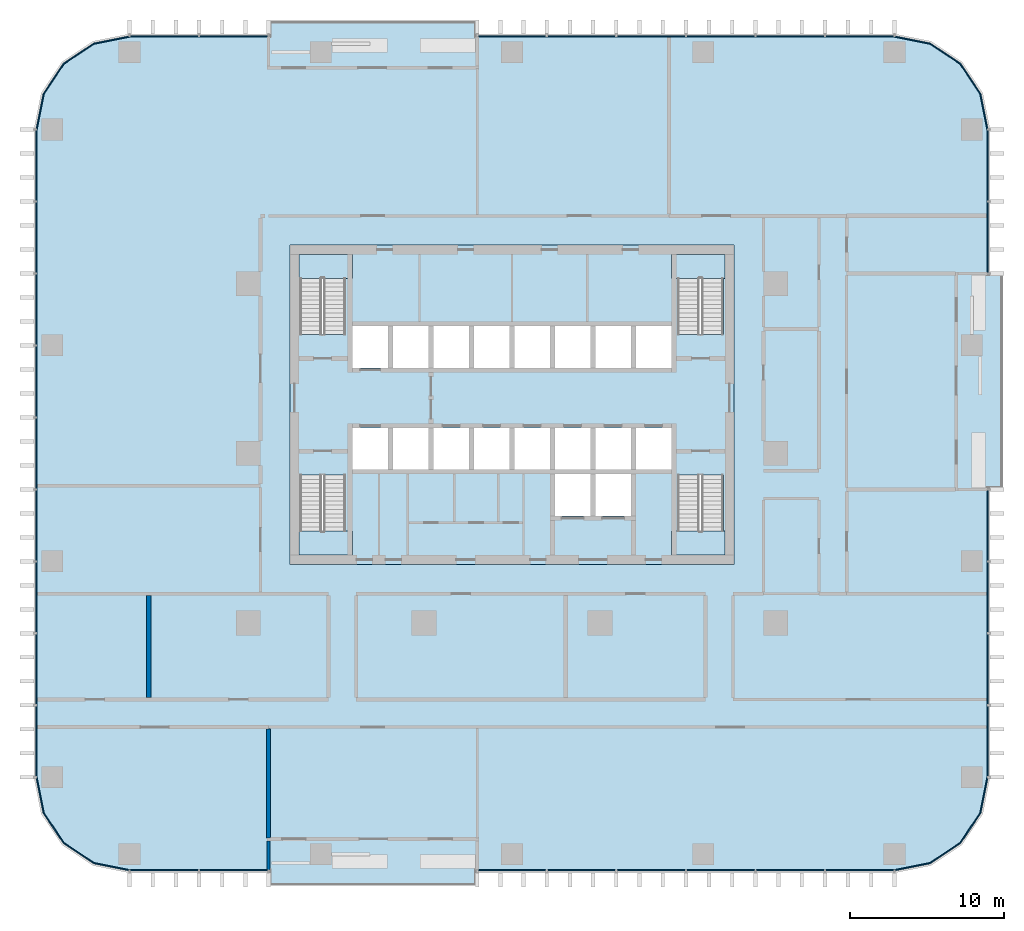
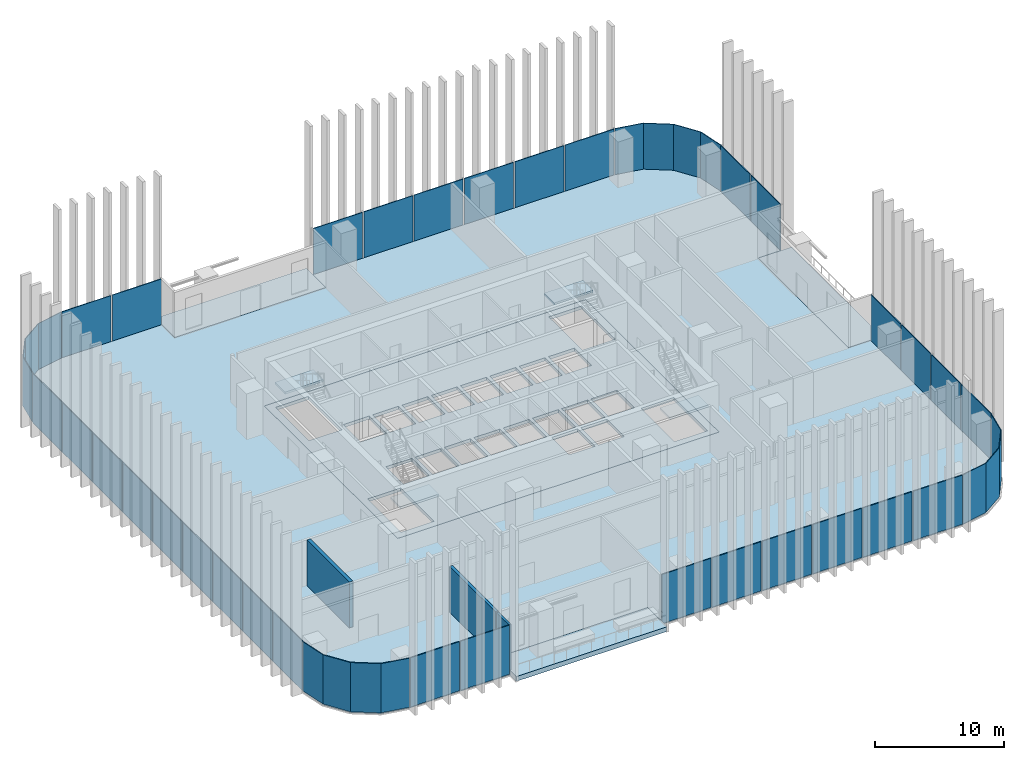
# One storey, part 6 of 16: 35 plates, 9 slabs, 3 walls, 15 elements without a shape of their own.
"""IFC4 building model written with IfcOpenShell, lengths in metres."""

from ifc_helpers import new_model, si_unit, direction, frame, frame_2d, origin, origin_2d, place, context, subcontext, project, spatial, polyline, rectangle, outline, extrude, material, layer, layer_set, type_object, element, aggregate, save


model = new_model("IFC4")

# Units and contexts
model_context = context("Model", 3, precision=1e-05, world=origin(), true_north=direction((0.0, 1.0)))
body_context = subcontext(model_context, "Body", "Model", "MODEL_VIEW")
ifc_project = project(units=[si_unit("LENGTHUNIT", "METRE"), si_unit("AREAUNIT", "SQUARE_METRE"), si_unit("VOLUMEUNIT", "CUBIC_METRE"), si_unit("PLANEANGLEUNIT", "RADIAN"), si_unit("MASSUNIT", "GRAM", prefix="KILO")], contexts=[model_context])

# Site, building, storey
site_placement = place(None, origin())
site = spatial("IfcSite", under=ifc_project, at=site_placement, CompositionType="ELEMENT")
building_placement = place(site_placement, origin())
building = spatial("IfcBuilding", under=site, at=building_placement, Name="Mopane Tessera Tower", CompositionType="ELEMENT")
storey_placement = place(building_placement, frame((0.0, 0.0, 59.800048828125)))
storey = spatial("IfcBuildingStorey", under=building, at=storey_placement, Name="L11", CompositionType="ELEMENT", Elevation=59.800048828125)

# Slab
ifc_material_1 = material(Name="Concrete C40/50", Category="concrete")
ifc_layer_1 = layer(ifc_material_1, 0.300048828125)
ifc_layer_set_1 = layer_set([ifc_layer_1], Name="Concrete C40/50")
slab_type_1 = type_object("IfcSlabType", Name="Core floor slab 300 mm", PredefinedType="FLOOR", material=ifc_layer_set_1)
slab_1_placement = place(storey_placement, frame((0.0, 0.0, -0.300048828125)))
element("IfcSlab", 1, at=slab_1_placement, inside=storey, type_object=slab_type_1, Name="L11 core floor slab", PredefinedType="FLOOR", context=body_context, shape_type="SweptSolid", body=[
    extrude(outline(polyline([(-14.39990234375, -7.199951171875), (14.39990234375, -7.199951171875), (14.39990234375, 13.5), (-14.39990234375, 13.5), (-14.39990234375, -7.199951171875)]), holes=[polyline([(-10.35009765625, -1.050048828125), (-8.02490234375, -1.050048828125), (-8.02490234375, 1.64990234375), (-10.35009765625, 1.64990234375), (-10.35009765625, -1.050048828125)]), polyline([(-7.72509765625, -1.050048828125), (-5.39990234375, -1.050048828125), (-5.39990234375, 1.64990234375), (-7.72509765625, 1.64990234375), (-7.72509765625, -1.050048828125)]), polyline([(-5.10009765625, -1.050048828125), (-2.77490234375, -1.050048828125), (-2.77490234375, 1.64990234375), (-5.10009765625, 1.64990234375), (-5.10009765625, -1.050048828125)]), polyline([(-2.47509765625, -1.050048828125), (-0.14990234375, -1.050048828125), (-0.14990234375, 1.64990234375), (-2.47509765625, 1.64990234375), (-2.47509765625, -1.050048828125)]), polyline([(0.14990234375, -1.050048828125), (2.47509765625, -1.050048828125), (2.47509765625, 1.64990234375), (0.14990234375, 1.64990234375), (0.14990234375, -1.050048828125)]), polyline([(2.77490234375, -1.050048828125), (5.10009765625, -1.050048828125), (5.10009765625, 1.64990234375), (2.77490234375, 1.64990234375), (2.77490234375, -1.050048828125)]), polyline([(5.39990234375, -1.050048828125), (7.72509765625, -1.050048828125), (7.72509765625, 1.64990234375), (5.39990234375, 1.64990234375), (5.39990234375, -1.050048828125)]), polyline([(8.02490234375, -1.050048828125), (10.35009765625, -1.050048828125), (10.35009765625, 1.64990234375), (8.02490234375, 1.64990234375), (8.02490234375, -1.050048828125)]), polyline([(-10.35009765625, 5.550048828125), (-8.02490234375, 5.550048828125), (-8.02490234375, 8.25), (-10.35009765625, 8.25), (-10.35009765625, 5.550048828125)]), polyline([(-7.72509765625, 5.550048828125), (-5.39990234375, 5.550048828125), (-5.39990234375, 8.25), (-7.72509765625, 8.25), (-7.72509765625, 5.550048828125)]), polyline([(-5.10009765625, 5.550048828125), (-2.77490234375, 5.550048828125), (-2.77490234375, 8.25), (-5.10009765625, 8.25), (-5.10009765625, 5.550048828125)]), polyline([(-2.47509765625, 5.550048828125), (-0.14990234375, 5.550048828125), (-0.14990234375, 8.25), (-2.47509765625, 8.25), (-2.47509765625, 5.550048828125)]), polyline([(0.14990234375, 5.550048828125), (2.47509765625, 5.550048828125), (2.47509765625, 8.25), (0.14990234375, 8.25), (0.14990234375, 5.550048828125)]), polyline([(2.77490234375, 5.550048828125), (5.10009765625, 5.550048828125), (5.10009765625, 8.25), (2.77490234375, 8.25), (2.77490234375, 5.550048828125)]), polyline([(5.39990234375, 5.550048828125), (7.72509765625, 5.550048828125), (7.72509765625, 8.25), (5.39990234375, 8.25), (5.39990234375, 5.550048828125)]), polyline([(8.02490234375, 5.550048828125), (10.35009765625, 5.550048828125), (10.35009765625, 8.25), (8.02490234375, 8.25), (8.02490234375, 5.550048828125)]), polyline([(2.77490234375, -4.050048828125), (5.10009765625, -4.050048828125), (5.10009765625, -1.35009765625), (2.77490234375, -1.35009765625), (2.77490234375, -4.050048828125)]), polyline([(5.39990234375, -4.050048828125), (7.72509765625, -4.050048828125), (7.72509765625, -1.35009765625), (5.39990234375, -1.35009765625), (5.39990234375, -4.050048828125)]), polyline([(-13.75, -1.405029296875), (-13.75, -6.60009765625), (-10.800048828125, -6.60009765625), (-10.800048828125, -1.405029296875), (-13.75, -1.405029296875)]), polyline([(-10.800048828125, 7.705078125), (-10.800048828125, 12.89990234375), (-13.75, 12.89990234375), (-13.75, 7.705078125), (-10.800048828125, 7.705078125)]), polyline([(10.75, -1.405029296875), (10.75, -6.60009765625), (13.699951171875, -6.60009765625), (13.699951171875, -1.405029296875), (10.75, -1.405029296875)]), polyline([(13.699951171875, 7.705078125), (13.699951171875, 12.89990234375), (10.75, 12.89990234375), (10.75, 7.705078125), (13.699951171875, 7.705078125)])]), origin(), (0.0, 0.0, 1.0), 0.300048828125),
])

# Stair, slab
ifc_material_2 = material(Name="Concrete C50/60", Category="concrete")
stair_type = type_object("IfcStairType", Name="Escape stair 1400 mm, riser 171 mm", PredefinedType="HALF_TURN_STAIR", material=ifc_material_2)
stair_1_placement = place(storey_placement, origin())
stair_1 = element("IfcStair", 2, at=stair_1_placement, inside=storey, type_object=stair_type, Name="L11 Escape stair south-west", PredefinedType="HALF_TURN_STAIR")
ifc_material_3 = material(Name="Concrete C50/60", Category="concrete")
ifc_layer_2 = layer(ifc_material_3, 0.199951171875)
ifc_layer_set_2 = layer_set([ifc_layer_2], Name="Concrete C50/60")
slab_type_2 = type_object("IfcSlabType", Name="Escape stair landing 200 mm", PredefinedType="LANDING", material=ifc_layer_set_2)
slab_2_placement = place(storey_placement, frame((0.0, 0.0, 2.199951171875)))
slab_2 = element("IfcSlab", 3, at=slab_2_placement, type_object=slab_type_2, Name="ST1 landing 1", PredefinedType="LANDING", context=body_context, shape_type="SweptSolid", body=[
    extrude(outline(polyline([(-13.800048828125, -5.0400390625), (-13.800048828125, -6.60009765625), (-10.35009765625, -6.60009765625), (-10.35009765625, -5.0400390625), (-13.800048828125, -5.0400390625)])), origin(), (0.0, 0.0, 1.0), 0.199951171875),
])
aggregate(stair_1, [slab_2])

stair_2_placement = place(storey_placement, origin())
stair_2 = element("IfcStair", 4, at=stair_2_placement, inside=storey, type_object=stair_type, Name="L11 Escape stair north-west", PredefinedType="HALF_TURN_STAIR")
slab_3_placement = place(storey_placement, frame((0.0, 0.0, 2.199951171875)))
slab_3 = element("IfcSlab", 5, at=slab_3_placement, type_object=slab_type_2, Name="ST2 landing 1", PredefinedType="LANDING", context=body_context, shape_type="SweptSolid", body=[
    extrude(outline(polyline([(-10.35009765625, 11.340087890625), (-10.35009765625, 12.89990234375), (-13.800048828125, 12.89990234375), (-13.800048828125, 11.340087890625), (-10.35009765625, 11.340087890625)])), origin(), (0.0, 0.0, 1.0), 0.199951171875),
])
aggregate(stair_2, [slab_3])

stair_3_placement = place(storey_placement, origin())
stair_3 = element("IfcStair", 6, at=stair_3_placement, inside=storey, type_object=stair_type, Name="L11 Escape stair south-east", PredefinedType="HALF_TURN_STAIR")
slab_4_placement = place(storey_placement, frame((0.0, 0.0, 2.199951171875)))
slab_4 = element("IfcSlab", 7, at=slab_4_placement, type_object=slab_type_2, Name="ST3 landing 1", PredefinedType="LANDING", context=body_context, shape_type="SweptSolid", body=[
    extrude(outline(polyline([(10.35009765625, -5.0400390625), (10.35009765625, -6.60009765625), (13.800048828125, -6.60009765625), (13.800048828125, -5.0400390625), (10.35009765625, -5.0400390625)])), origin(), (0.0, 0.0, 1.0), 0.199951171875),
])
aggregate(stair_3, [slab_4])

stair_4_placement = place(storey_placement, origin())
stair_4 = element("IfcStair", 8, at=stair_4_placement, inside=storey, type_object=stair_type, Name="L11 Escape stair north-east", PredefinedType="HALF_TURN_STAIR")
slab_5_placement = place(storey_placement, frame((0.0, 0.0, 2.199951171875)))
slab_5 = element("IfcSlab", 9, at=slab_5_placement, type_object=slab_type_2, Name="ST4 landing 1", PredefinedType="LANDING", context=body_context, shape_type="SweptSolid", body=[
    extrude(outline(polyline([(13.800048828125, 11.340087890625), (13.800048828125, 12.89990234375), (10.35009765625, 12.89990234375), (10.35009765625, 11.340087890625), (13.800048828125, 11.340087890625)])), origin(), (0.0, 0.0, 1.0), 0.199951171875),
])
aggregate(stair_4, [slab_5])

# Curtain wall, plates
ifc_material_4 = material(Name="Aluminium frame", Category="aluminium")
curtain_wall_type = type_object("IfcCurtainWallType", Name="Lower tower unitised wall", PredefinedType="NOTDEFINED", material=ifc_material_4)
curtain_wall_1_placement = place(storey_placement, origin())
curtain_wall_1 = element("IfcCurtainWall", 10, at=curtain_wall_1_placement, inside=storey, type_object=curtain_wall_type, Name="e:cw:L11:S:0", PredefinedType="NOTDEFINED")
ifc_material_5 = material(Name="Clear laminated glass", Category="glass")
ifc_layer_3 = layer(ifc_material_5, 0.070068359375)
ifc_layer_set_3 = layer_set([ifc_layer_3], Name="Clear laminated glass")
plate_type = type_object("IfcPlateType", Name="Laminated glazed unit 70", PredefinedType="CURTAIN_PANEL", material=ifc_layer_set_3)
plate_1_placement = place(storey_placement, frame((-22.54541015625, -27.034912109375, -0.31005859375), z_axis=(0.0, 0.0, 1.0), x_axis=(1.0, 0.0, 0.0)))
plate_1 = element("IfcPlate", 11, at=plate_1_placement, type_object=plate_type, Name="e:cw:L11:S:0:pn0", PredefinedType="CURTAIN_PANEL", context=body_context, shape_type="SweptSolid", body=[
    extrude(rectangle(XDim=4.399169921875, YDim=0.070068359375, at=origin_2d()), origin(), (0.0, 0.0, 1.0), 4.659912109375),
])
plate_2_placement = place(storey_placement, frame((-18.036376953125, -27.034912109375, -0.31005859375), z_axis=(0.0, 0.0, 1.0), x_axis=(1.0, 0.0, 0.0)))
plate_2 = element("IfcPlate", 12, at=plate_2_placement, type_object=plate_type, Name="e:cw:L11:S:0:pn1", PredefinedType="CURTAIN_PANEL", context=body_context, shape_type="SweptSolid", body=[
    extrude(rectangle(XDim=4.399169921875, YDim=0.070068359375, at=origin_2d()), origin(), (0.0, 0.0, 1.0), 4.659912109375),
])
aggregate(curtain_wall_1, [plate_1, plate_2])

curtain_wall_2_placement = place(storey_placement, origin())
curtain_wall_2 = element("IfcCurtainWall", 13, at=curtain_wall_2_placement, inside=storey, type_object=curtain_wall_type, Name="e:cw:L11:S:5", PredefinedType="NOTDEFINED")
plate_3_placement = place(storey_placement, frame((0.0, -27.034912109375, -0.31005859375), z_axis=(0.0, 0.0, 1.0), x_axis=(1.0, 0.0, 0.0)))
plate_3 = element("IfcPlate", 14, at=plate_3_placement, type_object=plate_type, Name="e:cw:L11:S:5:pn5", PredefinedType="CURTAIN_PANEL", context=body_context, shape_type="SweptSolid", body=[
    extrude(rectangle(XDim=4.399169921875, YDim=0.070068359375, at=origin_2d()), origin(), (0.0, 0.0, 1.0), 4.659912109375),
])
plate_4_placement = place(storey_placement, frame((4.509033203125, -27.034912109375, -0.31005859375), z_axis=(0.0, 0.0, 1.0), x_axis=(1.0, 0.0, 0.0)))
plate_4 = element("IfcPlate", 15, at=plate_4_placement, type_object=plate_type, Name="e:cw:L11:S:5:pn6", PredefinedType="CURTAIN_PANEL", context=body_context, shape_type="SweptSolid", body=[
    extrude(rectangle(XDim=4.399169921875, YDim=0.070068359375, at=origin_2d()), origin(), (0.0, 0.0, 1.0), 4.659912109375),
])
plate_5_placement = place(storey_placement, frame((9.01806640625, -27.034912109375, -0.31005859375), z_axis=(0.0, 0.0, 1.0), x_axis=(1.0, 0.0, 0.0)))
plate_5 = element("IfcPlate", 16, at=plate_5_placement, type_object=plate_type, Name="e:cw:L11:S:5:pn7", PredefinedType="CURTAIN_PANEL", context=body_context, shape_type="SweptSolid", body=[
    extrude(rectangle(XDim=4.399169921875, YDim=0.070068359375, at=origin_2d()), origin(), (0.0, 0.0, 1.0), 4.659912109375),
])
plate_6_placement = place(storey_placement, frame((13.52734375, -27.034912109375, -0.31005859375), z_axis=(0.0, 0.0, 1.0), x_axis=(1.0, 0.0, 0.0)))
plate_6 = element("IfcPlate", 17, at=plate_6_placement, type_object=plate_type, Name="e:cw:L11:S:5:pn8", PredefinedType="CURTAIN_PANEL", context=body_context, shape_type="SweptSolid", body=[
    extrude(rectangle(XDim=4.399169921875, YDim=0.070068359375, at=origin_2d()), origin(), (0.0, 0.0, 1.0), 4.659912109375),
])
plate_7_placement = place(storey_placement, frame((18.036376953125, -27.034912109375, -0.31005859375), z_axis=(0.0, 0.0, 1.0), x_axis=(1.0, 0.0, 0.0)))
plate_7 = element("IfcPlate", 18, at=plate_7_placement, type_object=plate_type, Name="e:cw:L11:S:5:pn9", PredefinedType="CURTAIN_PANEL", context=body_context, shape_type="SweptSolid", body=[
    extrude(rectangle(XDim=4.399169921875, YDim=0.070068359375, at=origin_2d()), origin(), (0.0, 0.0, 1.0), 4.659912109375),
])
plate_8_placement = place(storey_placement, frame((22.54541015625, -27.034912109375, -0.31005859375), z_axis=(0.0, 0.0, 1.0), x_axis=(1.0, 0.0, 0.0)))
plate_8 = element("IfcPlate", 19, at=plate_8_placement, type_object=plate_type, Name="e:cw:L11:S:5:pn10", PredefinedType="CURTAIN_PANEL", context=body_context, shape_type="SweptSolid", body=[
    extrude(rectangle(XDim=4.399169921875, YDim=0.070068359375, at=origin_2d()), origin(), (0.0, 0.0, 1.0), 4.659912109375),
])
aggregate(curtain_wall_2, [plate_3, plate_4, plate_5, plate_6, plate_7, plate_8])

# Curtain wall, plate
curtain_wall_3_placement = place(storey_placement, origin())
curtain_wall_3 = element("IfcCurtainWall", 20, at=curtain_wall_3_placement, inside=storey, type_object=curtain_wall_type, Name="e:cw:L11:CS", PredefinedType="NOTDEFINED")
plate_9_placement = place(storey_placement, frame((0.0, 0.0, -0.31005859375)))
plate_9 = element("IfcPlate", 21, at=plate_9_placement, type_object=plate_type, Name="e:cw:L11:CS:pn", PredefinedType="CURTAIN_PANEL", context=body_context, shape_type="SweptSolid", body=[
    extrude(outline(polyline([(24.800048828125, -27.0), (27.09619140625, -26.543212890625), (29.042724609375, -25.24267578125), (30.34326171875, -23.296142578125), (30.800048828125, -21.0), (30.8701171875, -21.0), (30.407958984375, -23.322998046875), (29.092041015625, -25.292236328125), (27.122802734375, -26.60791015625), (24.800048828125, -27.070068359375), (24.800048828125, -27.0)])), origin(), (0.0, 0.0, 1.0), 4.659912109375),
])
aggregate(curtain_wall_3, [plate_9])

# Curtain wall, plates
curtain_wall_4_placement = place(storey_placement, origin())
curtain_wall_4 = element("IfcCurtainWall", 22, at=curtain_wall_4_placement, inside=storey, type_object=curtain_wall_type, Name="e:cw:L11:E:0", PredefinedType="NOTDEFINED")
plate_10_placement = place(storey_placement, frame((30.8349609375, -18.666748046875, -0.31005859375), z_axis=(0.0, 0.0, 1.0), x_axis=(0.0, 1.0, 0.0)))
plate_10 = element("IfcPlate", 23, at=plate_10_placement, type_object=plate_type, Name="e:cw:L11:E:0:pn0", PredefinedType="CURTAIN_PANEL", context=body_context, shape_type="SweptSolid", body=[
    extrude(rectangle(XDim=4.556640625, YDim=0.070068359375, at=origin_2d()), origin(), (0.0, 0.0, 1.0), 4.659912109375),
])
plate_11_placement = place(storey_placement, frame((30.8349609375, -14.0, -0.31005859375), z_axis=(0.0, 0.0, 1.0), x_axis=(0.0, 1.0, 0.0)))
plate_11 = element("IfcPlate", 24, at=plate_11_placement, type_object=plate_type, Name="e:cw:L11:E:0:pn1", PredefinedType="CURTAIN_PANEL", context=body_context, shape_type="SweptSolid", body=[
    extrude(rectangle(XDim=4.556640625, YDim=0.070068359375, at=origin_2d()), origin(), (0.0, 0.0, 1.0), 4.659912109375),
])
plate_12_placement = place(storey_placement, frame((30.8349609375, -9.333251953125, -0.31005859375), z_axis=(0.0, 0.0, 1.0), x_axis=(0.0, 1.0, 0.0)))
plate_12 = element("IfcPlate", 25, at=plate_12_placement, type_object=plate_type, Name="e:cw:L11:E:0:pn2", PredefinedType="CURTAIN_PANEL", context=body_context, shape_type="SweptSolid", body=[
    extrude(rectangle(XDim=4.556640625, YDim=0.070068359375, at=origin_2d()), origin(), (0.0, 0.0, 1.0), 4.659912109375),
])
plate_13_placement = place(storey_placement, frame((30.8349609375, -4.666748046875, -0.31005859375), z_axis=(0.0, 0.0, 1.0), x_axis=(0.0, 1.0, 0.0)))
plate_13 = element("IfcPlate", 26, at=plate_13_placement, type_object=plate_type, Name="e:cw:L11:E:0:pn3", PredefinedType="CURTAIN_PANEL", context=body_context, shape_type="SweptSolid", body=[
    extrude(rectangle(XDim=4.556640625, YDim=0.070068359375, at=origin_2d()), origin(), (0.0, 0.0, 1.0), 4.659912109375),
])
aggregate(curtain_wall_4, [plate_10, plate_11, plate_12, plate_13])

curtain_wall_5_placement = place(storey_placement, origin())
curtain_wall_5 = element("IfcCurtainWall", 27, at=curtain_wall_5_placement, inside=storey, type_object=curtain_wall_type, Name="e:cw:L11:E:7", PredefinedType="NOTDEFINED")
plate_14_placement = place(storey_placement, frame((30.8349609375, 14.0, -0.31005859375), z_axis=(0.0, 0.0, 1.0), x_axis=(0.0, 1.0, 0.0)))
plate_14 = element("IfcPlate", 28, at=plate_14_placement, type_object=plate_type, Name="e:cw:L11:E:7:pn7", PredefinedType="CURTAIN_PANEL", context=body_context, shape_type="SweptSolid", body=[
    extrude(rectangle(XDim=4.556640625, YDim=0.070068359375, at=origin_2d()), origin(), (0.0, 0.0, 1.0), 4.659912109375),
])
plate_15_placement = place(storey_placement, frame((30.8349609375, 18.666748046875, -0.31005859375), z_axis=(0.0, 0.0, 1.0), x_axis=(0.0, 1.0, 0.0)))
plate_15 = element("IfcPlate", 29, at=plate_15_placement, type_object=plate_type, Name="e:cw:L11:E:7:pn8", PredefinedType="CURTAIN_PANEL", context=body_context, shape_type="SweptSolid", body=[
    extrude(rectangle(XDim=4.556640625, YDim=0.070068359375, at=origin_2d()), origin(), (0.0, 0.0, 1.0), 4.659912109375),
])
aggregate(curtain_wall_5, [plate_14, plate_15])

# Curtain wall, plate
curtain_wall_6_placement = place(storey_placement, origin())
curtain_wall_6 = element("IfcCurtainWall", 30, at=curtain_wall_6_placement, inside=storey, type_object=curtain_wall_type, Name="e:cw:L11:CE", PredefinedType="NOTDEFINED")
plate_16_placement = place(storey_placement, frame((0.0, 0.0, -0.31005859375)))
plate_16 = element("IfcPlate", 31, at=plate_16_placement, type_object=plate_type, Name="e:cw:L11:CE:pn", PredefinedType="CURTAIN_PANEL", context=body_context, shape_type="SweptSolid", body=[
    extrude(outline(polyline([(30.800048828125, 21.0), (30.34326171875, 23.296142578125), (29.042724609375, 25.24267578125), (27.09619140625, 26.543212890625), (24.800048828125, 27.0), (24.800048828125, 27.070068359375), (27.122802734375, 26.60791015625), (29.092041015625, 25.292236328125), (30.407958984375, 23.322998046875), (30.8701171875, 21.0), (30.800048828125, 21.0)])), origin(), (0.0, 0.0, 1.0), 4.659912109375),
])
aggregate(curtain_wall_6, [plate_16])

# Curtain wall, plates
curtain_wall_7_placement = place(storey_placement, origin())
curtain_wall_7 = element("IfcCurtainWall", 32, at=curtain_wall_7_placement, inside=storey, type_object=curtain_wall_type, Name="e:cw:L11:N:0", PredefinedType="NOTDEFINED")
plate_17_placement = place(storey_placement, frame((22.54541015625, 27.034912109375, -0.31005859375), z_axis=(0.0, 0.0, 1.0), x_axis=(-1.0, 0.0, 0.0)))
plate_17 = element("IfcPlate", 33, at=plate_17_placement, type_object=plate_type, Name="e:cw:L11:N:0:pn0", PredefinedType="CURTAIN_PANEL", context=body_context, shape_type="SweptSolid", body=[
    extrude(rectangle(XDim=4.399169921875, YDim=0.070068359375, at=origin_2d()), origin(), (0.0, 0.0, 1.0), 4.659912109375),
])
plate_18_placement = place(storey_placement, frame((18.036376953125, 27.034912109375, -0.31005859375), z_axis=(0.0, 0.0, 1.0), x_axis=(-1.0, 0.0, 0.0)))
plate_18 = element("IfcPlate", 34, at=plate_18_placement, type_object=plate_type, Name="e:cw:L11:N:0:pn1", PredefinedType="CURTAIN_PANEL", context=body_context, shape_type="SweptSolid", body=[
    extrude(rectangle(XDim=4.399169921875, YDim=0.070068359375, at=origin_2d()), origin(), (0.0, 0.0, 1.0), 4.659912109375),
])
plate_19_placement = place(storey_placement, frame((13.52734375, 27.034912109375, -0.31005859375), z_axis=(0.0, 0.0, 1.0), x_axis=(-1.0, 0.0, 0.0)))
plate_19 = element("IfcPlate", 35, at=plate_19_placement, type_object=plate_type, Name="e:cw:L11:N:0:pn2", PredefinedType="CURTAIN_PANEL", context=body_context, shape_type="SweptSolid", body=[
    extrude(rectangle(XDim=4.399169921875, YDim=0.070068359375, at=origin_2d()), origin(), (0.0, 0.0, 1.0), 4.659912109375),
])
plate_20_placement = place(storey_placement, frame((9.01806640625, 27.034912109375, -0.31005859375), z_axis=(0.0, 0.0, 1.0), x_axis=(-1.0, 0.0, 0.0)))
plate_20 = element("IfcPlate", 36, at=plate_20_placement, type_object=plate_type, Name="e:cw:L11:N:0:pn3", PredefinedType="CURTAIN_PANEL", context=body_context, shape_type="SweptSolid", body=[
    extrude(rectangle(XDim=4.399169921875, YDim=0.070068359375, at=origin_2d()), origin(), (0.0, 0.0, 1.0), 4.659912109375),
])
plate_21_placement = place(storey_placement, frame((4.509033203125, 27.034912109375, -0.31005859375), z_axis=(0.0, 0.0, 1.0), x_axis=(-1.0, 0.0, 0.0)))
plate_21 = element("IfcPlate", 37, at=plate_21_placement, type_object=plate_type, Name="e:cw:L11:N:0:pn4", PredefinedType="CURTAIN_PANEL", context=body_context, shape_type="SweptSolid", body=[
    extrude(rectangle(XDim=4.399169921875, YDim=0.070068359375, at=origin_2d()), origin(), (0.0, 0.0, 1.0), 4.659912109375),
])
plate_22_placement = place(storey_placement, frame((0.0, 27.034912109375, -0.31005859375), z_axis=(0.0, 0.0, 1.0), x_axis=(-1.0, 0.0, 0.0)))
plate_22 = element("IfcPlate", 38, at=plate_22_placement, type_object=plate_type, Name="e:cw:L11:N:0:pn5", PredefinedType="CURTAIN_PANEL", context=body_context, shape_type="SweptSolid", body=[
    extrude(rectangle(XDim=4.399169921875, YDim=0.070068359375, at=origin_2d()), origin(), (0.0, 0.0, 1.0), 4.659912109375),
])
aggregate(curtain_wall_7, [plate_17, plate_18, plate_19, plate_20, plate_21, plate_22])

curtain_wall_8_placement = place(storey_placement, origin())
curtain_wall_8 = element("IfcCurtainWall", 39, at=curtain_wall_8_placement, inside=storey, type_object=curtain_wall_type, Name="e:cw:L11:N:9", PredefinedType="NOTDEFINED")
plate_23_placement = place(storey_placement, frame((-18.036376953125, 27.034912109375, -0.31005859375), z_axis=(0.0, 0.0, 1.0), x_axis=(-1.0, 0.0, 0.0)))
plate_23 = element("IfcPlate", 40, at=plate_23_placement, type_object=plate_type, Name="e:cw:L11:N:9:pn9", PredefinedType="CURTAIN_PANEL", context=body_context, shape_type="SweptSolid", body=[
    extrude(rectangle(XDim=4.399169921875, YDim=0.070068359375, at=origin_2d()), origin(), (0.0, 0.0, 1.0), 4.659912109375),
])
plate_24_placement = place(storey_placement, frame((-22.54541015625, 27.034912109375, -0.31005859375), z_axis=(0.0, 0.0, 1.0), x_axis=(-1.0, 0.0, 0.0)))
plate_24 = element("IfcPlate", 41, at=plate_24_placement, type_object=plate_type, Name="e:cw:L11:N:9:pn10", PredefinedType="CURTAIN_PANEL", context=body_context, shape_type="SweptSolid", body=[
    extrude(rectangle(XDim=4.399169921875, YDim=0.070068359375, at=origin_2d()), origin(), (0.0, 0.0, 1.0), 4.659912109375),
])
aggregate(curtain_wall_8, [plate_23, plate_24])

# Curtain wall, plate
curtain_wall_9_placement = place(storey_placement, origin())
curtain_wall_9 = element("IfcCurtainWall", 42, at=curtain_wall_9_placement, inside=storey, type_object=curtain_wall_type, Name="e:cw:L11:CN", PredefinedType="NOTDEFINED")
plate_25_placement = place(storey_placement, frame((0.0, 0.0, -0.31005859375)))
plate_25 = element("IfcPlate", 43, at=plate_25_placement, type_object=plate_type, Name="e:cw:L11:CN:pn", PredefinedType="CURTAIN_PANEL", context=body_context, shape_type="SweptSolid", body=[
    extrude(outline(polyline([(-24.800048828125, 27.0), (-27.09619140625, 26.543212890625), (-29.042724609375, 25.24267578125), (-30.34326171875, 23.296142578125), (-30.800048828125, 21.0), (-30.8701171875, 21.0), (-30.407958984375, 23.322998046875), (-29.092041015625, 25.292236328125), (-27.122802734375, 26.60791015625), (-24.800048828125, 27.070068359375), (-24.800048828125, 27.0)])), origin(), (0.0, 0.0, 1.0), 4.659912109375),
])
aggregate(curtain_wall_9, [plate_25])

# Curtain wall, plates
curtain_wall_10_placement = place(storey_placement, origin())
curtain_wall_10 = element("IfcCurtainWall", 44, at=curtain_wall_10_placement, inside=storey, type_object=curtain_wall_type, Name="e:cw:L11:W:0", PredefinedType="NOTDEFINED")
plate_26_placement = place(storey_placement, frame((-30.8349609375, 18.666748046875, -0.31005859375), z_axis=(0.0, 0.0, 1.0), x_axis=(0.0, -1.0, 0.0)))
plate_26 = element("IfcPlate", 45, at=plate_26_placement, type_object=plate_type, Name="e:cw:L11:W:0:pn0", PredefinedType="CURTAIN_PANEL", context=body_context, shape_type="SweptSolid", body=[
    extrude(rectangle(XDim=4.556640625, YDim=0.070068359375, at=origin_2d()), origin(), (0.0, 0.0, 1.0), 4.659912109375),
])
plate_27_placement = place(storey_placement, frame((-30.8349609375, 14.0, -0.31005859375), z_axis=(0.0, 0.0, 1.0), x_axis=(0.0, -1.0, 0.0)))
plate_27 = element("IfcPlate", 46, at=plate_27_placement, type_object=plate_type, Name="e:cw:L11:W:0:pn1", PredefinedType="CURTAIN_PANEL", context=body_context, shape_type="SweptSolid", body=[
    extrude(rectangle(XDim=4.556640625, YDim=0.070068359375, at=origin_2d()), origin(), (0.0, 0.0, 1.0), 4.659912109375),
])
plate_28_placement = place(storey_placement, frame((-30.8349609375, 9.333251953125, -0.31005859375), z_axis=(0.0, 0.0, 1.0), x_axis=(0.0, -1.0, 0.0)))
plate_28 = element("IfcPlate", 47, at=plate_28_placement, type_object=plate_type, Name="e:cw:L11:W:0:pn2", PredefinedType="CURTAIN_PANEL", context=body_context, shape_type="SweptSolid", body=[
    extrude(rectangle(XDim=4.556640625, YDim=0.070068359375, at=origin_2d()), origin(), (0.0, 0.0, 1.0), 4.659912109375),
])
plate_29_placement = place(storey_placement, frame((-30.8349609375, 4.666748046875, -0.31005859375), z_axis=(0.0, 0.0, 1.0), x_axis=(0.0, -1.0, 0.0)))
plate_29 = element("IfcPlate", 48, at=plate_29_placement, type_object=plate_type, Name="e:cw:L11:W:0:pn3", PredefinedType="CURTAIN_PANEL", context=body_context, shape_type="SweptSolid", body=[
    extrude(rectangle(XDim=4.556640625, YDim=0.070068359375, at=origin_2d()), origin(), (0.0, 0.0, 1.0), 4.659912109375),
])
plate_30_placement = place(storey_placement, frame((-30.8349609375, 0.0, -0.31005859375), z_axis=(0.0, 0.0, 1.0), x_axis=(0.0, -1.0, 0.0)))
plate_30 = element("IfcPlate", 49, at=plate_30_placement, type_object=plate_type, Name="e:cw:L11:W:0:pn4", PredefinedType="CURTAIN_PANEL", context=body_context, shape_type="SweptSolid", body=[
    extrude(rectangle(XDim=4.556640625, YDim=0.070068359375, at=origin_2d()), origin(), (0.0, 0.0, 1.0), 4.659912109375),
])
plate_31_placement = place(storey_placement, frame((-30.8349609375, -4.666748046875, -0.31005859375), z_axis=(0.0, 0.0, 1.0), x_axis=(0.0, -1.0, 0.0)))
plate_31 = element("IfcPlate", 50, at=plate_31_placement, type_object=plate_type, Name="e:cw:L11:W:0:pn5", PredefinedType="CURTAIN_PANEL", context=body_context, shape_type="SweptSolid", body=[
    extrude(rectangle(XDim=4.556640625, YDim=0.070068359375, at=origin_2d()), origin(), (0.0, 0.0, 1.0), 4.659912109375),
])
plate_32_placement = place(storey_placement, frame((-30.8349609375, -9.333251953125, -0.31005859375), z_axis=(0.0, 0.0, 1.0), x_axis=(0.0, -1.0, 0.0)))
plate_32 = element("IfcPlate", 51, at=plate_32_placement, type_object=plate_type, Name="e:cw:L11:W:0:pn6", PredefinedType="CURTAIN_PANEL", context=body_context, shape_type="SweptSolid", body=[
    extrude(rectangle(XDim=4.556640625, YDim=0.070068359375, at=origin_2d()), origin(), (0.0, 0.0, 1.0), 4.659912109375),
])
plate_33_placement = place(storey_placement, frame((-30.8349609375, -14.0, -0.31005859375), z_axis=(0.0, 0.0, 1.0), x_axis=(0.0, -1.0, 0.0)))
plate_33 = element("IfcPlate", 52, at=plate_33_placement, type_object=plate_type, Name="e:cw:L11:W:0:pn7", PredefinedType="CURTAIN_PANEL", context=body_context, shape_type="SweptSolid", body=[
    extrude(rectangle(XDim=4.556640625, YDim=0.070068359375, at=origin_2d()), origin(), (0.0, 0.0, 1.0), 4.659912109375),
])
plate_34_placement = place(storey_placement, frame((-30.8349609375, -18.666748046875, -0.31005859375), z_axis=(0.0, 0.0, 1.0), x_axis=(0.0, -1.0, 0.0)))
plate_34 = element("IfcPlate", 53, at=plate_34_placement, type_object=plate_type, Name="e:cw:L11:W:0:pn8", PredefinedType="CURTAIN_PANEL", context=body_context, shape_type="SweptSolid", body=[
    extrude(rectangle(XDim=4.556640625, YDim=0.070068359375, at=origin_2d()), origin(), (0.0, 0.0, 1.0), 4.659912109375),
])
aggregate(curtain_wall_10, [plate_26, plate_27, plate_28, plate_29, plate_30, plate_31, plate_32, plate_33, plate_34])

# Curtain wall, plate
curtain_wall_11_placement = place(storey_placement, origin())
curtain_wall_11 = element("IfcCurtainWall", 54, at=curtain_wall_11_placement, inside=storey, type_object=curtain_wall_type, Name="e:cw:L11:CW", PredefinedType="NOTDEFINED")
plate_35_placement = place(storey_placement, frame((0.0, 0.0, -0.31005859375)))
plate_35 = element("IfcPlate", 55, at=plate_35_placement, type_object=plate_type, Name="e:cw:L11:CW:pn", PredefinedType="CURTAIN_PANEL", context=body_context, shape_type="SweptSolid", body=[
    extrude(outline(polyline([(-30.800048828125, -21.0), (-30.34326171875, -23.296142578125), (-29.042724609375, -25.24267578125), (-27.09619140625, -26.543212890625), (-24.800048828125, -27.0), (-24.800048828125, -27.070068359375), (-27.122802734375, -26.60791015625), (-29.092041015625, -25.292236328125), (-30.407958984375, -23.322998046875), (-30.8701171875, -21.0), (-30.800048828125, -21.0)])), origin(), (0.0, 0.0, 1.0), 4.659912109375),
])
aggregate(curtain_wall_11, [plate_35])

# Slabs
ifc_material_6 = material(Name="Concrete C40/50", Category="concrete")
ifc_layer_4 = layer(ifc_material_6, 0.449951171875)
ifc_layer_set_4 = layer_set([ifc_layer_4], Name="Concrete C40/50")
slab_type_3 = type_object("IfcSlabType", Name="Planted terrace slab 450 mm", PredefinedType="FLOOR", material=ifc_layer_set_4)
slab_6_placement = place(storey_placement, frame((0.0, 0.0, -0.449951171875)))
element("IfcSlab", 56, at=slab_6_placement, inside=storey, type_object=slab_type_3, Name="Terrace slab N1 L11", PredefinedType="FLOOR", context=body_context, shape_type="SweptSolid", body=[
    extrude(outline(polyline([(31.800048828125, 11.666748046875), (28.800048828125, 11.666748046875), (28.800048828125, -2.333251953125), (31.800048828125, -2.333251953125), (31.800048828125, 11.666748046875)])), origin(), (0.0, 0.0, 1.0), 0.449951171875),
])
slab_7_placement = place(storey_placement, frame((0.0, 0.0, -0.449951171875)))
element("IfcSlab", 57, at=slab_7_placement, inside=storey, type_object=slab_type_3, Name="Terrace slab N2 L11", PredefinedType="FLOOR", context=body_context, shape_type="SweptSolid", body=[
    extrude(outline(polyline([(-15.78173828125, 28.0), (-15.78173828125, 25.0), (-2.254638671875, 25.0), (-2.254638671875, 28.0), (-15.78173828125, 28.0)])), origin(), (0.0, 0.0, 1.0), 0.449951171875),
])
slab_8_placement = place(storey_placement, frame((0.0, 0.0, -0.449951171875)))
element("IfcSlab", 58, at=slab_8_placement, inside=storey, type_object=slab_type_3, Name="Terrace slab N3 L11", PredefinedType="FLOOR", context=body_context, shape_type="SweptSolid", body=[
    extrude(outline(polyline([(-2.254638671875, -28.0), (-2.254638671875, -25.0), (-15.78173828125, -25.0), (-15.78173828125, -28.0), (-2.254638671875, -28.0)])), origin(), (0.0, 0.0, 1.0), 0.449951171875),
])
ifc_material_7 = material(Name="Concrete C40/50", Category="concrete")
ifc_layer_5 = layer(ifc_material_7, 0.449951171875)
ifc_layer_set_5 = layer_set([ifc_layer_5], Name="Concrete C40/50")
slab_type_4 = type_object("IfcSlabType", Name="Post-tensioned flat plate 450 mm", PredefinedType="FLOOR", material=ifc_layer_set_5)
slab_9_placement = place(storey_placement, frame((0.0, 0.0, -0.449951171875)))
element("IfcSlab", 59, at=slab_9_placement, inside=storey, type_object=slab_type_4, Name="Floor slab L11", PredefinedType="FLOOR", context=body_context, shape_type="SweptSolid", body=[
    extrude(outline(polyline([(-24.800048828125, -27.0), (-15.78173828125, -27.0), (-15.78173828125, -25.0), (-2.254638671875, -25.0), (-2.254638671875, -27.0), (24.800048828125, -27.0), (27.09619140625, -26.543212890625), (29.042724609375, -25.24267578125), (30.34326171875, -23.296142578125), (30.800048828125, -21.0), (30.800048828125, -2.333251953125), (28.800048828125, -2.333251953125), (28.800048828125, 11.666748046875), (30.800048828125, 11.666748046875), (30.800048828125, 21.0), (30.34326171875, 23.296142578125), (29.042724609375, 25.24267578125), (27.09619140625, 26.543212890625), (24.800048828125, 27.0), (-2.254638671875, 27.0), (-2.254638671875, 25.0), (-15.78173828125, 25.0), (-15.78173828125, 27.0), (-24.800048828125, 27.0), (-27.09619140625, 26.543212890625), (-29.042724609375, 25.24267578125), (-30.34326171875, 23.296142578125), (-30.800048828125, 21.0), (-30.800048828125, -21.0), (-30.34326171875, -23.296142578125), (-29.042724609375, -25.24267578125), (-27.09619140625, -26.543212890625), (-24.800048828125, -27.0)]), holes=[polyline([(14.39990234375, -7.199951171875), (-14.39990234375, -7.199951171875), (-14.39990234375, 13.5), (14.39990234375, 13.5), (14.39990234375, -7.199951171875)])]), origin(), (0.0, 0.0, 1.0), 0.449951171875),
])

# Walls
ifc_material_8 = material(Name="Plastered concrete blockwork C20/25", Category="masonry")
ifc_layer_6 = layer(ifc_material_8, 0.300048828125)
ifc_layer_set_6 = layer_set([ifc_layer_6], Name="Plastered concrete blockwork C20/25")
wall_type_1 = type_object("IfcWallType", Name="Plastered blockwork separation wall 300, rated EI 120", PredefinedType="PARTITIONING", material=ifc_layer_set_6)
wall_1_placement = place(storey_placement, frame((-23.554931640625, -15.824951171875, 0.0), z_axis=(0.0, 0.0, 1.0), x_axis=(0.0, 1.0, 0.0)))
element("IfcWall", 60, at=wall_1_placement, inside=storey, type_object=wall_type_1, Name="Partition L11:021", PredefinedType="PARTITIONING", context=body_context, shape_type="SweptSolid", body=[
    extrude(rectangle(XDim=6.599853515625, YDim=0.300048828125, at=frame_2d((3.2998046875, 0.0))), origin(), (0.0, 0.0, 1.0), 4.349853515625),
])
ifc_material_9 = material(Name="Plastered concrete blockwork C20/25", Category="masonry")
ifc_layer_7 = layer(ifc_material_9, 0.25)
ifc_layer_set_7 = layer_set([ifc_layer_7], Name="Plastered concrete blockwork C20/25")
wall_type_2 = type_object("IfcWallType", Name="Plastered blockwork wall 250, rated EI 120", PredefinedType="PARTITIONING", material=ifc_layer_set_7)
wall_2_placement = place(storey_placement, frame((-15.780029296875, -24.949951171875, 0.0), z_axis=(0.0, 0.0, 1.0), x_axis=(0.0, 1.0, 0.0)))
element("IfcWall", 61, at=wall_2_placement, inside=storey, type_object=wall_type_2, Name="Partition L11:026", PredefinedType="PARTITIONING", context=body_context, shape_type="SweptSolid", body=[
    extrude(rectangle(XDim=7.074951171875, YDim=0.25, at=frame_2d((3.53759765625, 0.0))), origin(), (0.0, 0.0, 1.0), 4.349853515625),
])
ifc_material_10 = material(Name="Blockwork with glazed tile facing", Category="masonry")
ifc_layer_8 = layer(ifc_material_10, 0.199951171875)
ifc_layer_set_8 = layer_set([ifc_layer_8], Name="Blockwork with glazed tile facing")
wall_type_3 = type_object("IfcWallType", Name="Terrace cheek wall 200", PredefinedType="STANDARD", material=ifc_layer_set_8)
wall_3_placement = place(storey_placement, frame((-15.78173828125, -27.0, 0.0), z_axis=(0.0, 0.0, 1.0), x_axis=(0.0, 1.0, 0.0)))
element("IfcWall", 62, at=wall_3_placement, inside=storey, type_object=wall_type_3, Name="e:nw:L11:N3:cheeka", PredefinedType="STANDARD", context=body_context, shape_type="SweptSolid", body=[
    extrude(rectangle(XDim=1.875, YDim=0.199951171875, at=frame_2d((0.9375, 0.0))), origin(), (0.0, 0.0, 1.0), 4.349853515625),
])

save(model, "model.ifc")
